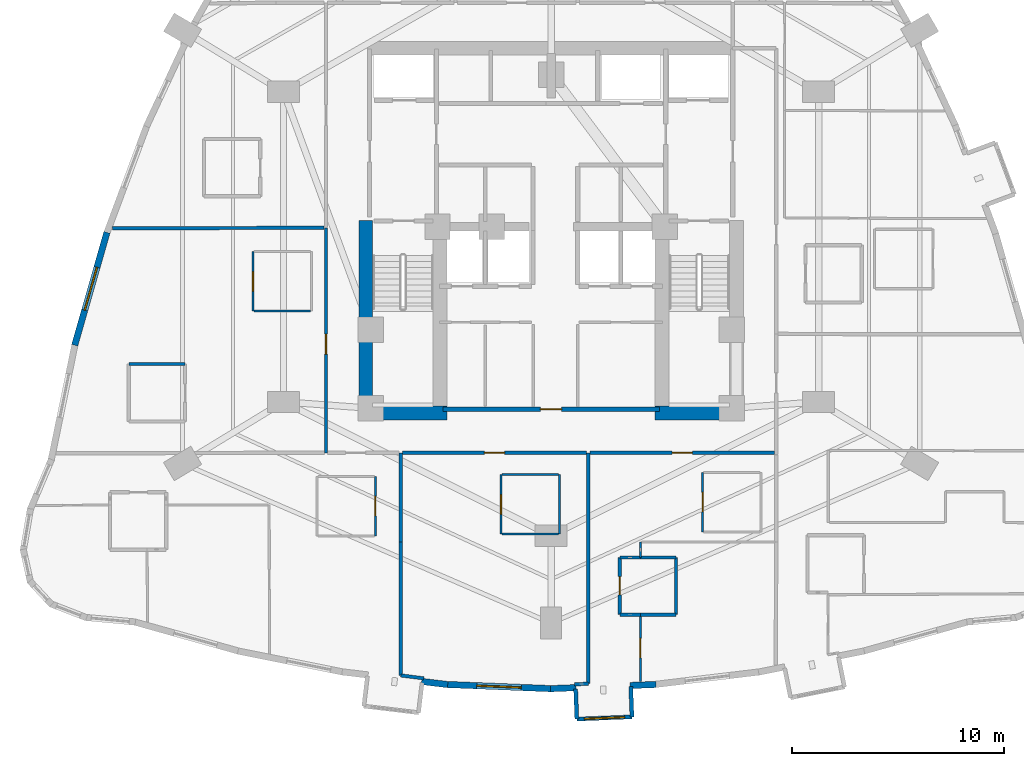
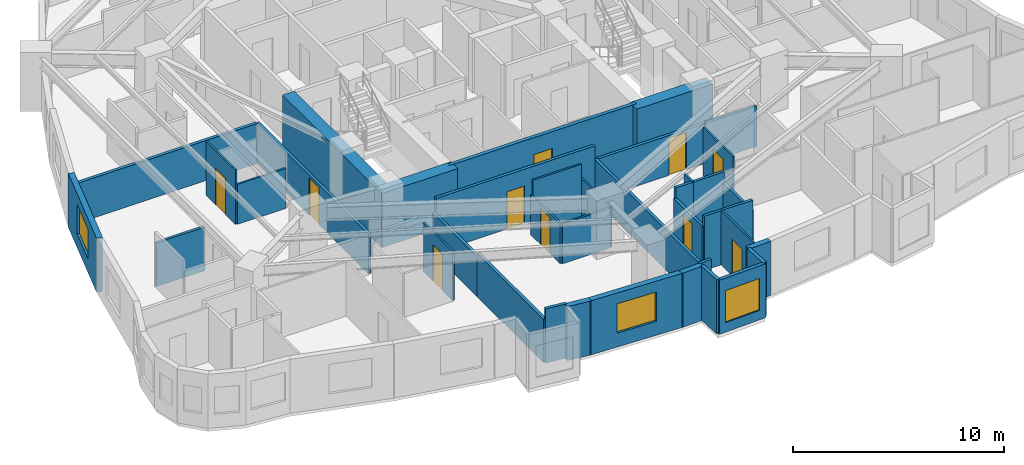
# One storey, part 8 of 15: 38 walls, 10 doors, 3 windows, 13 openings.
"""IFC4 building model written with IfcOpenShell, lengths in metres."""

from ifc_helpers import new_model, si_unit, direction, frame, frame_2d, origin, place, context, subcontext, project, spatial, rectangle, extrude, material, layer, layer_set, type_object, element, fill, save


model = new_model("IFC4")

# Units and contexts
model_context = context("Model", 3, precision=1e-05, world=origin(), true_north=direction((0.0, 1.0)))
body_context = subcontext(model_context, "Body", "Model", "MODEL_VIEW")
ifc_project = project(units=[si_unit("LENGTHUNIT", "METRE"), si_unit("AREAUNIT", "SQUARE_METRE"), si_unit("VOLUMEUNIT", "CUBIC_METRE"), si_unit("PLANEANGLEUNIT", "RADIAN"), si_unit("MASSUNIT", "GRAM", prefix="KILO")], contexts=[model_context])

# Site, building, storey
site_placement = place(None, origin())
site = spatial("IfcSite", under=ifc_project, at=site_placement, CompositionType="ELEMENT")
building_placement = place(site_placement, origin())
building = spatial("IfcBuilding", under=site, at=building_placement, Name="Miruveldt Soraemaru", CompositionType="ELEMENT")
storey_placement = place(building_placement, frame((0.0, 0.0, 39.39990234375)))
storey = spatial("IfcBuildingStorey", under=building, at=storey_placement, Name="L10", CompositionType="ELEMENT", Elevation=39.39990234375)

# Walls
ifc_material_1 = material(Name="White powder-coated aluminium EN AW-6060 T6", Category="aluminium")
ifc_layer_1 = layer(ifc_material_1, 0.18994140625, Name="White powder-coated aluminium EN AW-6060 T6", Category="aluminium")
ifc_layer_set_1 = layer_set([ifc_layer_1], Name="White powder-coated aluminium EN AW-6060 T6")
wall_type_1 = type_object("IfcWallType", Name="WALL-BAY-ALU190", PredefinedType="SOLIDWALL", material=ifc_layer_set_1)
for number, where, z_axis, x_axis, name in (
    (1, (45.155029296875, 22.283935546875, 0.0), (0.0, 0.0, 1.0), (0.039920142234, -0.999202873417, 0.0), "L10 Bay Window Side Cheek 2L"),
    (2, (47.809814453125, 20.964111328125, 0.0), (0.0, 0.0, 1.0), (-0.039920142234, 0.999202873417, 0.0), "L10 Bay Window Side Cheek 2R"),
):
    element("IfcWall", number, at=place(storey_placement, frame(where, z_axis=z_axis, x_axis=x_axis)), inside=storey, type_object=wall_type_1, Name=name, PredefinedType="SOLIDWALL", context=body_context, shape_type="SweptSolid", body=[
        extrude(rectangle(XDim=1.425048828125, YDim=0.18994140625, at=frame_2d((0.71240234375, 0.0))), origin(), (0.0, 0.0, 1.0), 3.125),
    ])

# Wall, opening, window
wall_1_placement = place(storey_placement, frame((45.2119140625, 20.860107421875, 0.0), z_axis=(0.0, 0.0, 1.0), x_axis=(0.999199608139, 0.040001788654, 0.0)))
wall_1 = element("IfcWall", 3, at=wall_1_placement, inside=storey, type_object=wall_type_1, Name="L10 Bay Window Front Frame 2", PredefinedType="SOLIDWALL", context=body_context, shape_type="SweptSolid", body=[
    extrude(rectangle(XDim=2.60009765625, YDim=0.18994140625, at=frame_2d((1.300048828125, 0.0))), origin(), (0.0, 0.0, 1.0), 3.125),
])
opening_1_placement = place(wall_1_placement, frame((0.35009765625, 0.0, 0.550048828125)))
opening_1 = element("IfcOpeningElement", 4, at=opening_1_placement, cuts=wall_1, Name="Opening WN-6", PredefinedType="OPENING", context=body_context, shape_type="SweptSolid", body=[
    extrude(rectangle(XDim=1.89990234375, YDim=1.85009765625, at=frame_2d((0.949951171875, 0.925048828125))), frame((0.0, 0.10498046875, 0.0), z_axis=(0.0, -1.0, 0.0), x_axis=(1.0, 0.0, 0.0)), (0.0, 0.0, 1.0), 0.2099609375),
])
ifc_material_2 = material(Name="Triple low-e insulated glazing", Category="glass")
window_type_1 = type_object("IfcWindowType", Name="WIN-BAYW-1900x1850", PartitioningType="SINGLE_PANEL", PredefinedType="WINDOW", material=ifc_material_2)
window_1_placement = place(opening_1_placement, origin())
window_1 = element("IfcWindow", 5, at=window_1_placement, inside=storey, type_object=window_type_1, Name="L10 Projecting Bay Window 2", OverallHeight=1.85009765625, OverallWidth=1.89990234375, PartitioningType="SINGLE_PANEL", PredefinedType="WINDOW", context=body_context, shape_type="SweptSolid", body=[
    extrude(rectangle(XDim=1.89990234375, YDim=1.85009765625, at=frame_2d((0.949951171875, 0.925048828125))), frame((0.0, 0.030029296875, 0.0), z_axis=(0.0, -1.0, 0.0), x_axis=(1.0, 0.0, 0.0)), (0.0, 0.0, 1.0), 0.06005859375),
])
fill(opening_1, window_1)

# Walls
ifc_material_3 = material(Name="Concrete C80/95 (80 MPa)", Category="concrete")
ifc_layer_2 = layer(ifc_material_3, 0.64990234375, Name="Concrete C80/95 (80 MPa)", Category="concrete")
ifc_layer_set_2 = layer_set([ifc_layer_2], Name="Concrete C80/95 (80 MPa)")
wall_type_2 = type_object("IfcWallType", Name="WALL-CW-650", PredefinedType="SHEAR", material=ifc_layer_set_2)
for number, where, z_axis, x_axis, name in (
    (6, (34.949951171875, 35.27490234375, 0.0), (0.0, 0.0, 1.0), (1.0, 0.0, 0.0), "L10 Central Core Shear Wall S1"),
    (7, (48.89990234375, 35.27490234375, 0.0), (0.0, 0.0, 1.0), (1.0, 0.0, 0.0), "L10 Central Core Shear Wall S2"),
):
    element("IfcWall", number, at=place(storey_placement, frame(where, z_axis=z_axis, x_axis=x_axis)), inside=storey, type_object=wall_type_2, Name=name, PredefinedType="SHEAR", context=body_context, shape_type="SweptSolid", body=[
        extrude(rectangle(XDim=4.150146484375, YDim=0.64990234375, at=frame_2d((2.0751953125, 0.0))), origin(), (0.0, 0.0, 1.0), 3.125),
    ])
wall_2_placement = place(storey_placement, frame((35.27490234375, 34.949951171875, 0.0), z_axis=(0.0, 0.0, 1.0), x_axis=(0.0, 1.0, 0.0)))
element("IfcWall", 8, at=wall_2_placement, inside=storey, type_object=wall_type_2, Name="L10 Central Core Shear Wall W1", PredefinedType="SHEAR", context=body_context, shape_type="SweptSolid", body=[
    extrude(rectangle(XDim=9.400146484375, YDim=0.64990234375, at=frame_2d((4.7001953125, 0.0))), origin(), (0.0, 0.0, 1.0), 3.125),
])

# Wall, opening, window
ifc_material_4 = material(Name="Precast concrete C45/55 (45 MPa)", Category="concrete")
ifc_layer_3 = layer(ifc_material_4, 0.300048828125, Name="Precast concrete C45/55 (45 MPa)", Category="concrete")
ifc_layer_set_3 = layer_set([ifc_layer_3], Name="Precast concrete C45/55 (45 MPa)")
wall_type_3 = type_object("IfcWallType", Name="WALL-EXT-PC300", PredefinedType="SOLIDWALL", material=ifc_layer_set_3)
wall_3_placement = place(storey_placement, frame((23.08349609375, 43.782470703125, 0.0), z_axis=(0.0, 0.0, 1.0), x_axis=(-0.274971983341, -0.96145223926, 0.0)))
wall_3 = element("IfcWall", 9, at=wall_3_placement, inside=storey, type_object=wall_type_3, Name="L10 Precast Concrete Facade Wall 13", PredefinedType="SOLIDWALL", context=body_context, shape_type="SweptSolid", body=[
    extrude(rectangle(XDim=5.527099609375, YDim=0.300048828125, at=frame_2d((2.763671875, 0.0))), origin(), (0.0, 0.0, 1.0), 3.125),
])
opening_2_placement = place(wall_3_placement, frame((1.714111328125, 0.0, 0.800048828125)))
opening_2 = element("IfcOpeningElement", 10, at=opening_2_placement, cuts=wall_3, Name="Opening WN-1", PredefinedType="OPENING", context=body_context, shape_type="SweptSolid", body=[
    extrude(rectangle(XDim=2.10009765625, YDim=1.699951171875, at=frame_2d((1.050048828125, 0.85009765625))), frame((0.0, 0.16015625, 0.0), z_axis=(0.0, -1.0, 0.0), x_axis=(1.0, 0.0, 0.0)), (0.0, 0.0, 1.0), 0.320068359375),
])
window_type_2 = type_object("IfcWindowType", Name="WIN-PUNCH-2100x1700", PartitioningType="SINGLE_PANEL", PredefinedType="WINDOW", material=ifc_material_2)
window_2_placement = place(opening_2_placement, origin())
window_2 = element("IfcWindow", 11, at=window_2_placement, inside=storey, type_object=window_type_2, Name="L10 Punched Triple-Glazed Window 13.1", OverallHeight=1.699951171875, OverallWidth=2.10009765625, PartitioningType="SINGLE_PANEL", PredefinedType="WINDOW", context=body_context, shape_type="SweptSolid", body=[
    extrude(rectangle(XDim=2.10009765625, YDim=1.699951171875, at=frame_2d((1.050048828125, 0.85009765625))), frame((0.0, 0.030029296875, 0.0), z_axis=(0.0, -1.0, 0.0), x_axis=(1.0, 0.0, 0.0)), (0.0, 0.0, 1.0), 0.06005859375),
])
fill(opening_2, window_2)

# Wall
wall_4_placement = place(storey_placement, frame((37.905517578125, 22.6318359375, 0.0), z_axis=(0.0, 0.0, 1.0), x_axis=(0.992886194387, -0.119067228889, 0.0)))
element("IfcWall", 12, at=wall_4_placement, inside=storey, type_object=wall_type_3, Name="L10 Precast Pier Wall 23B", PredefinedType="SOLIDWALL", context=body_context, shape_type="SweptSolid", body=[
    extrude(rectangle(XDim=1.234375, YDim=0.300048828125, at=frame_2d((0.6171875, 0.0))), origin(), (0.0, 0.0, 1.0), 3.125),
])

# Wall, opening, window
wall_5_placement = place(storey_placement, frame((39.061279296875, 22.490478515625, 0.0), z_axis=(0.0, 0.0, 1.0), x_axis=(0.999200723651, -0.039973914676, 0.0)))
wall_5 = element("IfcWall", 13, at=wall_5_placement, inside=storey, type_object=wall_type_3, Name="L10 Precast Concrete Facade Wall 24", PredefinedType="SOLIDWALL", context=body_context, shape_type="SweptSolid", body=[
    extrude(rectangle(XDim=4.9775390625, YDim=0.300048828125, at=frame_2d((2.48876953125, 0.0))), origin(), (0.0, 0.0, 1.0), 3.125),
])
opening_3_placement = place(wall_5_placement, frame((1.43896484375, 0.0, 0.800048828125)))
opening_3 = element("IfcOpeningElement", 14, at=opening_3_placement, cuts=wall_5, Name="Opening WN-1", PredefinedType="OPENING", context=body_context, shape_type="SweptSolid", body=[
    extrude(rectangle(XDim=2.10009765625, YDim=1.699951171875, at=frame_2d((1.050048828125, 0.85009765625))), frame((0.0, 0.16015625, 0.0), z_axis=(0.0, -1.0, 0.0), x_axis=(1.0, 0.0, 0.0)), (0.0, 0.0, 1.0), 0.320068359375),
])
window_3_placement = place(opening_3_placement, origin())
window_3 = element("IfcWindow", 15, at=window_3_placement, inside=storey, type_object=window_type_2, Name="L10 Punched Triple-Glazed Window 24.1", OverallHeight=1.699951171875, OverallWidth=2.10009765625, PartitioningType="SINGLE_PANEL", PredefinedType="WINDOW", context=body_context, shape_type="SweptSolid", body=[
    extrude(rectangle(XDim=2.10009765625, YDim=1.699951171875, at=frame_2d((1.050048828125, 0.85009765625))), frame((0.0, 0.030029296875, 0.0), z_axis=(0.0, -1.0, 0.0), x_axis=(1.0, 0.0, 0.0)), (0.0, 0.0, 1.0), 0.06005859375),
])
fill(opening_3, window_3)

# Walls
wall_6_placement = place(storey_placement, frame((43.965087890625, 22.29150390625, 0.0), z_axis=(0.0, 0.0, 1.0), x_axis=(0.999205113347, 0.0398640372, 0.0)))
element("IfcWall", 16, at=wall_6_placement, inside=storey, type_object=wall_type_3, Name="L10 Precast Pier Wall 25A", PredefinedType="SOLIDWALL", context=body_context, shape_type="SweptSolid", body=[
    extrude(rectangle(XDim=1.21875, YDim=0.300048828125, at=frame_2d((0.609375, 0.0))), origin(), (0.0, 0.0, 1.0), 3.125),
])
wall_7_placement = place(storey_placement, frame((47.720703125, 22.441650390625, 0.0), z_axis=(0.0, 0.0, 1.0), x_axis=(0.999197435549, 0.040056020667, 0.0)))
element("IfcWall", 17, at=wall_7_placement, inside=storey, type_object=wall_type_3, Name="L10 Precast Pier Wall 25B", PredefinedType="SOLIDWALL", context=body_context, shape_type="SweptSolid", body=[
    extrude(rectangle(XDim=1.218994140625, YDim=0.300048828125, at=frame_2d((0.609375, 0.0))), origin(), (0.0, 0.0, 1.0), 3.125),
])

# Wall, opening, door
ifc_material_5 = material(Name="Gypsum plasterboard lining", Category="gypsum")
ifc_layer_4 = layer(ifc_material_5, 0.10009765625, Name="Gypsum plasterboard lining", Category="gypsum")
ifc_layer_set_4 = layer_set([ifc_layer_4], Name="Gypsum plasterboard lining")
wall_type_4 = type_object("IfcWallType", Name="WALL-INT-P100", PredefinedType="PARTITIONING", material=ifc_layer_set_4)
wall_8_placement = place(storey_placement, frame((48.202880859375, 22.6259765625, 0.0), z_axis=(0.0, 0.0, 1.0), x_axis=(0.001007907691, 0.999999492061, 0.0)))
wall_8 = element("IfcWall", 18, at=wall_8_placement, inside=storey, type_object=wall_type_4, Name="L10 Partition Wall 119", PredefinedType="PARTITIONING", context=body_context, shape_type="SweptSolid", body=[
    extrude(rectangle(XDim=3.14892578125, YDim=0.10009765625, at=frame_2d((1.574462890625, 0.0))), origin(), (0.0, 0.0, 1.0), 3.125),
])
opening_4_placement = place(wall_8_placement, frame((1.114990234375, 0.0, 0.0)))
opening_4 = element("IfcOpeningElement", 19, at=opening_4_placement, cuts=wall_8, Name="Opening D3A", PredefinedType="OPENING", context=body_context, shape_type="SweptSolid", body=[
    extrude(rectangle(XDim=0.919921875, YDim=2.10009765625, at=frame_2d((0.4599609375, 1.050048828125))), frame((0.0, 0.06005859375, 0.0), z_axis=(0.0, -1.0, 0.0), x_axis=(1.0, 0.0, 0.0)), (0.0, 0.0, 1.0), 0.1201171875),
])
ifc_material_6 = material(Name="Anodised aluminium EN AW-6063 T6", Category="aluminium")
door_type_1 = type_object("IfcDoorType", Name="DOOR-INT-920", OperationType="NOTDEFINED", PredefinedType="DOOR", material=ifc_material_6)
door_1_placement = place(opening_4_placement, origin())
door_1 = element("IfcDoor", 20, at=door_1_placement, inside=storey, type_object=door_type_1, Name="L10 Unit 1010 BD1 Door", OperationType="SINGLE_SWING_LEFT", OverallHeight=2.10009765625, OverallWidth=0.919921875, PredefinedType="DOOR", context=body_context, shape_type="SweptSolid", body=[
    extrude(rectangle(XDim=0.919921875, YDim=2.10009765625, at=frame_2d((0.4599609375, 1.050048828125))), frame((0.0, 0.02490234375, 0.0), z_axis=(0.0, -1.0, 0.0), x_axis=(1.0, 0.0, 0.0)), (0.0, 0.0, 1.0), 0.050048828125),
])
fill(opening_4, door_1)

wall_9_placement = place(storey_placement, frame((29.962890625, 42.8798828125, 0.0), z_axis=(0.0, 0.0, 1.0), x_axis=(0.0, -1.0, 0.0)))
wall_9 = element("IfcWall", 21, at=wall_9_placement, inside=storey, type_object=wall_type_4, Name="L10 Partition Wall 58", PredefinedType="PARTITIONING", context=body_context, shape_type="SweptSolid", body=[
    extrude(rectangle(XDim=2.7998046875, YDim=0.10009765625, at=frame_2d((1.39990234375, 0.0))), origin(), (0.0, 0.0, 1.0), 3.125),
])
opening_5_placement = place(wall_9_placement, frame((0.93994140625, 0.0, 0.0)))
opening_5 = element("IfcOpeningElement", 22, at=opening_5_placement, cuts=wall_9, Name="Opening D3A", PredefinedType="OPENING", context=body_context, shape_type="SweptSolid", body=[
    extrude(rectangle(XDim=0.919921875, YDim=2.10009765625, at=frame_2d((0.4599609375, 1.050048828125))), frame((0.0, 0.06005859375, 0.0), z_axis=(0.0, -1.0, 0.0), x_axis=(1.0, 0.0, 0.0)), (0.0, 0.0, 1.0), 0.1201171875),
])
door_2_placement = place(opening_5_placement, origin())
door_2 = element("IfcDoor", 23, at=door_2_placement, inside=storey, type_object=door_type_1, Name="L10 Unit CL04 KIT Door", OperationType="SINGLE_SWING_LEFT", OverallHeight=2.10009765625, OverallWidth=0.919921875, PredefinedType="DOOR", context=body_context, shape_type="SweptSolid", body=[
    extrude(rectangle(XDim=0.919921875, YDim=2.10009765625, at=frame_2d((0.4599609375, 1.050048828125))), frame((0.0, 0.02490234375, 0.0), z_axis=(0.0, -1.0, 0.0), x_axis=(1.0, 0.0, 0.0)), (0.0, 0.0, 1.0), 0.050048828125),
])
fill(opening_5, door_2)

wall_10_placement = place(storey_placement, frame((35.721923828125, 29.489990234375, 0.0), z_axis=(0.0, 0.0, 1.0), x_axis=(0.0, 1.0, 0.0)))
wall_10 = element("IfcWall", 24, at=wall_10_placement, inside=storey, type_object=wall_type_4, Name="L10 Partition Wall 93", PredefinedType="PARTITIONING", context=body_context, shape_type="SweptSolid", body=[
    extrude(rectangle(XDim=2.800048828125, YDim=0.10009765625, at=frame_2d((1.39990234375, 0.0))), origin(), (0.0, 0.0, 1.0), 2.81298828125),
])
opening_6_placement = place(wall_10_placement, frame((0.93994140625, 0.0, 0.0)))
opening_6 = element("IfcOpeningElement", 25, at=opening_6_placement, cuts=wall_10, Name="Opening D3A", PredefinedType="OPENING", context=body_context, shape_type="SweptSolid", body=[
    extrude(rectangle(XDim=0.919921875, YDim=2.10009765625, at=frame_2d((0.4599609375, 1.050048828125))), frame((0.0, 0.06005859375, 0.0), z_axis=(0.0, -1.0, 0.0), x_axis=(1.0, 0.0, 0.0)), (0.0, 0.0, 1.0), 0.1201171875),
])
door_3_placement = place(opening_6_placement, origin())
door_3 = element("IfcDoor", 26, at=door_3_placement, inside=storey, type_object=door_type_1, Name="L10 Unit 1008 KIT Door", OperationType="SINGLE_SWING_LEFT", OverallHeight=2.10009765625, OverallWidth=0.919921875, PredefinedType="DOOR", context=body_context, shape_type="SweptSolid", body=[
    extrude(rectangle(XDim=0.919921875, YDim=2.10009765625, at=frame_2d((0.4599609375, 1.050048828125))), frame((0.0, 0.02490234375, 0.0), z_axis=(0.0, -1.0, 0.0), x_axis=(1.0, 0.0, 0.0)), (0.0, 0.0, 1.0), 0.050048828125),
])
fill(opening_6, door_3)

wall_11_placement = place(storey_placement, frame((41.64208984375, 32.375, 0.0), z_axis=(0.0, 0.0, 1.0), x_axis=(0.0, -1.0, 0.0)))
wall_11 = element("IfcWall", 27, at=wall_11_placement, inside=storey, type_object=wall_type_4, Name="L10 Partition Wall 109", PredefinedType="PARTITIONING", context=body_context, shape_type="SweptSolid", body=[
    extrude(rectangle(XDim=2.800048828125, YDim=0.10009765625, at=frame_2d((1.39990234375, 0.0))), origin(), (0.0, 0.0, 1.0), 2.31298828125),
])
opening_7_placement = place(wall_11_placement, frame((0.93994140625, 0.0, 0.0)))
opening_7 = element("IfcOpeningElement", 28, at=opening_7_placement, cuts=wall_11, Name="Opening D3A", PredefinedType="OPENING", context=body_context, shape_type="SweptSolid", body=[
    extrude(rectangle(XDim=0.919921875, YDim=2.10009765625, at=frame_2d((0.4599609375, 1.050048828125))), frame((0.0, 0.06005859375, 0.0), z_axis=(0.0, -1.0, 0.0), x_axis=(1.0, 0.0, 0.0)), (0.0, 0.0, 1.0), 0.1201171875),
])
door_4_placement = place(opening_7_placement, origin())
door_4 = element("IfcDoor", 29, at=door_4_placement, inside=storey, type_object=door_type_1, Name="L10 Unit 1009 KIT Door", OperationType="SINGLE_SWING_LEFT", OverallHeight=2.10009765625, OverallWidth=0.919921875, PredefinedType="DOOR", context=body_context, shape_type="SweptSolid", body=[
    extrude(rectangle(XDim=0.919921875, YDim=2.10009765625, at=frame_2d((0.4599609375, 1.050048828125))), frame((0.0, 0.02490234375, 0.0), z_axis=(0.0, -1.0, 0.0), x_axis=(1.0, 0.0, 0.0)), (0.0, 0.0, 1.0), 0.050048828125),
])
fill(opening_7, door_4)

wall_12_placement = place(storey_placement, frame((51.135986328125, 32.47509765625, 0.0), z_axis=(0.0, 0.0, 1.0), x_axis=(0.0, -1.0, 0.0)))
wall_12 = element("IfcWall", 30, at=wall_12_placement, inside=storey, type_object=wall_type_4, Name="L10 Partition Wall 117", PredefinedType="PARTITIONING", context=body_context, shape_type="SweptSolid", body=[
    extrude(rectangle(XDim=2.800048828125, YDim=0.10009765625, at=frame_2d((1.39990234375, 0.0))), origin(), (0.0, 0.0, 1.0), 2.81298828125),
])
opening_8_placement = place(wall_12_placement, frame((0.93994140625, 0.0, 0.0)))
opening_8 = element("IfcOpeningElement", 31, at=opening_8_placement, cuts=wall_12, Name="Opening D3A", PredefinedType="OPENING", context=body_context, shape_type="SweptSolid", body=[
    extrude(rectangle(XDim=0.919921875, YDim=2.10009765625, at=frame_2d((0.4599609375, 1.050048828125))), frame((0.0, 0.06005859375, 0.0), z_axis=(0.0, -1.0, 0.0), x_axis=(1.0, 0.0, 0.0)), (0.0, 0.0, 1.0), 0.1201171875),
])
door_5_placement = place(opening_8_placement, origin())
door_5 = element("IfcDoor", 32, at=door_5_placement, inside=storey, type_object=door_type_1, Name="L10 Unit 1010 KIT Door", OperationType="SINGLE_SWING_RIGHT", OverallHeight=2.10009765625, OverallWidth=0.919921875, PredefinedType="DOOR", context=body_context, shape_type="SweptSolid", body=[
    extrude(rectangle(XDim=0.919921875, YDim=2.10009765625, at=frame_2d((0.4599609375, 1.050048828125))), frame((0.0, 0.02490234375, 0.0), z_axis=(0.0, -1.0, 0.0), x_axis=(1.0, 0.0, 0.0)), (0.0, 0.0, 1.0), 0.050048828125),
])
fill(opening_8, door_5)

# Walls
wall_13_placement = place(storey_placement, frame((44.39208984375, 29.574951171875, 0.0), z_axis=(0.0, 0.0, 1.0), x_axis=(0.0, 1.0, 0.0)))
element("IfcWall", 33, at=wall_13_placement, inside=storey, type_object=wall_type_4, Name="L10 Partition Wall 107", PredefinedType="PARTITIONING", context=body_context, shape_type="SweptSolid", body=[
    extrude(rectangle(XDim=2.800048828125, YDim=0.10009765625, at=frame_2d((1.39990234375, 0.0))), origin(), (0.0, 0.0, 1.0), 2.31298828125),
])
wall_14_placement = place(storey_placement, frame((44.342041015625, 32.375, 0.0), z_axis=(0.0, 0.0, 1.0), x_axis=(-1.0, 0.0, 0.0)))
element("IfcWall", 34, at=wall_14_placement, inside=storey, type_object=wall_type_4, Name="L10 Partition Wall 108", PredefinedType="PARTITIONING", context=body_context, shape_type="SweptSolid", body=[
    extrude(rectangle(XDim=2.650146484375, YDim=0.10009765625, at=frame_2d((1.3251953125, 0.0))), origin(), (0.0, 0.0, 1.0), 3.125),
])
for number, where, z_axis, x_axis, name in (
    (35, (41.69189453125, 29.574951171875, 0.0), (0.0, 0.0, 1.0), (1.0, 0.0, 0.0), "L10 Partition Wall 110"),
    (36, (30.012939453125, 40.080078125, 0.0), (0.0, 0.0, 1.0), (1.0, 0.0, 0.0), "L10 Partition Wall 59"),
):
    element("IfcWall", number, at=place(storey_placement, frame(where, z_axis=z_axis, x_axis=x_axis)), inside=storey, type_object=wall_type_4, Name=name, PredefinedType="PARTITIONING", context=body_context, shape_type="SweptSolid", body=[
        extrude(rectangle(XDim=2.650146484375, YDim=0.10009765625, at=frame_2d((1.3251953125, 0.0))), origin(), (0.0, 0.0, 1.0), 2.31298828125),
    ])
wall_15_placement = place(storey_placement, frame((48.2060546875, 28.47509765625, 0.0), z_axis=(0.0, 0.0, 1.0), x_axis=(0.0, 1.0, 0.0)))
element("IfcWall", 37, at=wall_15_placement, inside=storey, type_object=wall_type_4, Name="L10 Partition Wall 120", PredefinedType="PARTITIONING", context=body_context, shape_type="SweptSolid", body=[
    extrude(rectangle(XDim=0.724853515625, YDim=0.10009765625, at=frame_2d((0.3623046875, 0.0))), origin(), (0.0, 0.0, 1.0), 3.125),
])

# Wall, opening, door
ifc_layer_5 = layer(ifc_material_5, 0.14990234375, Name="Gypsum plasterboard lining", Category="gypsum")
ifc_layer_set_5 = layer_set([ifc_layer_5], Name="Gypsum plasterboard lining")
wall_type_5 = type_object("IfcWallType", Name="WALL-INT-PLUMB", PredefinedType="PLUMBINGWALL", material=ifc_layer_set_5)
wall_16_placement = place(storey_placement, frame((47.236083984375, 28.47509765625, 0.0), z_axis=(0.0, 0.0, 1.0), x_axis=(0.0, -1.0, 0.0)))
wall_16 = element("IfcWall", 38, at=wall_16_placement, inside=storey, type_object=wall_type_5, Name="L10 Partition Wall 113", PredefinedType="PLUMBINGWALL", context=body_context, shape_type="SweptSolid", body=[
    extrude(rectangle(XDim=2.7001953125, YDim=0.14990234375, at=frame_2d((1.35009765625, 0.0))), origin(), (0.0, 0.0, 1.0), 2.51318359375),
])
opening_9_placement = place(wall_16_placement, frame((0.909912109375, 0.0, 0.0)))
opening_9 = element("IfcOpeningElement", 39, at=opening_9_placement, cuts=wall_16, Name="Opening FD3", PredefinedType="OPENING", context=body_context, shape_type="SweptSolid", body=[
    extrude(rectangle(XDim=0.85009765625, YDim=2.10009765625, at=frame_2d((0.425048828125, 1.050048828125))), frame((0.0, 0.0849609375, 0.0), z_axis=(0.0, -1.0, 0.0), x_axis=(1.0, 0.0, 0.0)), (0.0, 0.0, 1.0), 0.169921875),
])
door_type_2 = type_object("IfcDoorType", Name="DOOR-FD3-850", OperationType="NOTDEFINED", PredefinedType="DOOR", material=ifc_material_6)
door_6_placement = place(opening_9_placement, origin())
door_6 = element("IfcDoor", 40, at=door_6_placement, inside=storey, type_object=door_type_2, Name="L10 Unit 1010 BTH Door", OperationType="SINGLE_SWING_LEFT", OverallHeight=2.10009765625, OverallWidth=0.85009765625, PredefinedType="DOOR", context=body_context, shape_type="SweptSolid", body=[
    extrude(rectangle(XDim=0.85009765625, YDim=2.10009765625, at=frame_2d((0.425048828125, 1.050048828125))), frame((0.0, 0.02490234375, 0.0), z_axis=(0.0, -1.0, 0.0), x_axis=(1.0, 0.0, 0.0)), (0.0, 0.0, 1.0), 0.050048828125),
])
fill(opening_9, door_6)

# Walls
wall_17_placement = place(storey_placement, frame((49.885986328125, 25.77490234375, 0.0), z_axis=(0.0, 0.0, 1.0), x_axis=(0.0, 1.0, 0.0)))
element("IfcWall", 41, at=wall_17_placement, inside=storey, type_object=wall_type_5, Name="L10 Partition Wall 123", PredefinedType="PLUMBINGWALL", context=body_context, shape_type="SweptSolid", body=[
    extrude(rectangle(XDim=2.7001953125, YDim=0.14990234375, at=frame_2d((1.35009765625, 0.0))), origin(), (0.0, 0.0, 1.0), 2.51318359375),
])
wall_18_placement = place(storey_placement, frame((26.762939453125, 37.580078125, 0.0), z_axis=(0.0, 0.0, 1.0), x_axis=(-1.0, 0.0, 0.0)))
element("IfcWall", 42, at=wall_18_placement, inside=storey, type_object=wall_type_5, Name="L10 Partition Wall 53", PredefinedType="PLUMBINGWALL", context=body_context, shape_type="SweptSolid", body=[
    extrude(rectangle(XDim=2.64990234375, YDim=0.14990234375, at=frame_2d((1.324951171875, 0.0))), origin(), (0.0, 0.0, 1.0), 2.51318359375),
])
for number, where, z_axis, x_axis, name in (
    (43, (48.2060546875, 25.77490234375, 0.0), (0.0, 0.0, 1.0), (1.0, 0.0, 0.0), "L10 Partition Wall 122"),
    (44, (49.885986328125, 28.47509765625, 0.0), (0.0, 0.0, 1.0), (-1.0, 0.0, 0.0), "L10 Partition Wall 124"),
):
    element("IfcWall", number, at=place(storey_placement, frame(where, z_axis=z_axis, x_axis=x_axis)), inside=storey, type_object=wall_type_5, Name=name, PredefinedType="PLUMBINGWALL", context=body_context, shape_type="SweptSolid", body=[
        extrude(rectangle(XDim=1.679931640625, YDim=0.14990234375, at=frame_2d((0.83984375, 0.0))), origin(), (0.0, 0.0, 1.0), 3.125),
    ])
for number, where, z_axis, x_axis, name in (
    (45, (48.2060546875, 28.47509765625, 0.0), (0.0, 0.0, 1.0), (-1.0, 0.0, 0.0), "L10 Partition Wall 112"),
    (46, (47.236083984375, 25.77490234375, 0.0), (0.0, 0.0, 1.0), (1.0, 0.0, 0.0), "L10 Partition Wall 114"),
):
    element("IfcWall", number, at=place(storey_placement, frame(where, z_axis=z_axis, x_axis=x_axis)), inside=storey, type_object=wall_type_5, Name=name, PredefinedType="PLUMBINGWALL", context=body_context, shape_type="SweptSolid", body=[
        extrude(rectangle(XDim=0.969970703125, YDim=0.14990234375, at=frame_2d((0.48486328125, 0.0))), origin(), (0.0, 0.0, 1.0), 3.125),
    ])

# Wall, opening, door
ifc_material_7 = material(Name="Concrete C40/50 (40 MPa)", Category="concrete")
ifc_layer_6 = layer(ifc_material_7, 0.159912109375, Name="Concrete C40/50 (40 MPa)", Category="concrete")
ifc_layer_set_6 = layer_set([ifc_layer_6], Name="Concrete C40/50 (40 MPa)")
wall_type_6 = type_object("IfcWallType", Name="WALL-INT-RC160", PredefinedType="SOLIDWALL", material=ifc_layer_set_6)
wall_19_placement = place(storey_placement, frame((33.39990234375, 44.0, 0.0), z_axis=(0.0, 0.0, 1.0), x_axis=(0.0, -1.0, 0.0)))
wall_19 = element("IfcWall", 47, at=wall_19_placement, inside=storey, type_object=wall_type_6, Name="L10 Partition Wall 4", PredefinedType="SOLIDWALL", context=body_context, shape_type="SweptSolid", body=[
    extrude(rectangle(XDim=10.60009765625, YDim=0.159912109375, at=frame_2d((5.300048828125, 0.0))), origin(), (0.0, 0.0, 1.0), 2.31298828125),
])
opening_10_placement = place(wall_19_placement, frame((5.0048828125, 0.0, 0.0)))
opening_10 = element("IfcOpeningElement", 48, at=opening_10_placement, cuts=wall_19, Name="Opening FD2", PredefinedType="OPENING", context=body_context, shape_type="SweptSolid", body=[
    extrude(rectangle(XDim=0.949951171875, YDim=2.14990234375, at=frame_2d((0.47509765625, 1.074951171875))), frame((0.0, 0.08984375, 0.0), z_axis=(0.0, -1.0, 0.0), x_axis=(1.0, 0.0, 0.0)), (0.0, 0.0, 1.0), 0.179931640625),
])
door_type_3 = type_object("IfcDoorType", Name="DOOR-FD2-950", OperationType="NOTDEFINED", PredefinedType="DOOR", material=ifc_material_6)
door_7_placement = place(opening_10_placement, origin())
door_7 = element("IfcDoor", 49, at=door_7_placement, inside=storey, type_object=door_type_3, Name="L10 Unit CL04 Entrance Fire Door", OperationType="SINGLE_SWING_LEFT", OverallHeight=2.14990234375, OverallWidth=0.949951171875, PredefinedType="DOOR", context=body_context, shape_type="SweptSolid", body=[
    extrude(rectangle(XDim=0.949951171875, YDim=2.14990234375, at=frame_2d((0.47509765625, 1.074951171875))), frame((0.0, 0.02490234375, 0.0), z_axis=(0.0, -1.0, 0.0), x_axis=(1.0, 0.0, 0.0)), (0.0, 0.0, 1.0), 0.050048828125),
])
fill(opening_10, door_7)

wall_20_placement = place(storey_placement, frame((45.8359375, 33.39990234375, 0.0), z_axis=(0.0, 0.0, 1.0), x_axis=(1.0, 0.0, 0.0)))
wall_20 = element("IfcWall", 50, at=wall_20_placement, inside=storey, type_object=wall_type_6, Name="L10 Partition Wall 12", PredefinedType="SOLIDWALL", context=body_context, shape_type="SweptSolid", body=[
    extrude(rectangle(XDim=8.68408203125, YDim=0.159912109375, at=frame_2d((4.342041015625, 0.0))), origin(), (0.0, 0.0, 1.0), 2.31298828125),
])
opening_11_placement = place(wall_20_placement, frame((3.866943359375, 0.0, 0.0)))
opening_11 = element("IfcOpeningElement", 51, at=opening_11_placement, cuts=wall_20, Name="Opening FD2", PredefinedType="OPENING", context=body_context, shape_type="SweptSolid", body=[
    extrude(rectangle(XDim=0.949951171875, YDim=2.14990234375, at=frame_2d((0.47509765625, 1.074951171875))), frame((0.0, 0.08984375, 0.0), z_axis=(0.0, -1.0, 0.0), x_axis=(1.0, 0.0, 0.0)), (0.0, 0.0, 1.0), 0.179931640625),
])
door_8_placement = place(opening_11_placement, origin())
door_8 = element("IfcDoor", 52, at=door_8_placement, inside=storey, type_object=door_type_3, Name="L10 Unit 1010 Entrance Fire Door", OperationType="SINGLE_SWING_RIGHT", OverallHeight=2.14990234375, OverallWidth=0.949951171875, PredefinedType="DOOR", context=body_context, shape_type="SweptSolid", body=[
    extrude(rectangle(XDim=0.949951171875, YDim=2.14990234375, at=frame_2d((0.47509765625, 1.074951171875))), frame((0.0, 0.02490234375, 0.0), z_axis=(0.0, -1.0, 0.0), x_axis=(1.0, 0.0, 0.0)), (0.0, 0.0, 1.0), 0.050048828125),
])
fill(opening_11, door_8)

wall_21_placement = place(storey_placement, frame((36.99609375, 33.39990234375, 0.0), z_axis=(0.0, 0.0, 1.0), x_axis=(1.0, 0.0, 0.0)))
wall_21 = element("IfcWall", 53, at=wall_21_placement, inside=storey, type_object=wall_type_6, Name="L10 Partition Wall 11", PredefinedType="SOLIDWALL", context=body_context, shape_type="SweptSolid", body=[
    extrude(rectangle(XDim=8.676025390625, YDim=0.159912109375, at=frame_2d((4.337890625, 0.0))), origin(), (0.0, 0.0, 1.0), 3.125),
])
opening_12_placement = place(wall_21_placement, frame((3.863037109375, 0.0, 0.0)))
opening_12 = element("IfcOpeningElement", 54, at=opening_12_placement, cuts=wall_21, Name="Opening FD2", PredefinedType="OPENING", context=body_context, shape_type="SweptSolid", body=[
    extrude(rectangle(XDim=0.949951171875, YDim=2.14990234375, at=frame_2d((0.47509765625, 1.074951171875))), frame((0.0, 0.08984375, 0.0), z_axis=(0.0, -1.0, 0.0), x_axis=(1.0, 0.0, 0.0)), (0.0, 0.0, 1.0), 0.179931640625),
])
door_9_placement = place(opening_12_placement, origin())
door_9 = element("IfcDoor", 55, at=door_9_placement, inside=storey, type_object=door_type_3, Name="L10 Unit 1009 Entrance Fire Door", OperationType="SINGLE_SWING_RIGHT", OverallHeight=2.14990234375, OverallWidth=0.949951171875, PredefinedType="DOOR", context=body_context, shape_type="SweptSolid", body=[
    extrude(rectangle(XDim=0.949951171875, YDim=2.14990234375, at=frame_2d((0.47509765625, 1.074951171875))), frame((0.0, 0.02490234375, 0.0), z_axis=(0.0, -1.0, 0.0), x_axis=(1.0, 0.0, 0.0)), (0.0, 0.0, 1.0), 0.050048828125),
])
fill(opening_12, door_9)

# Walls
wall_22_placement = place(storey_placement, frame((45.7529296875, 22.528076171875, 0.0), z_axis=(0.0, 0.0, 1.0), x_axis=(0.000291931451, 0.999999957388, 0.0)))
element("IfcWall", 56, at=wall_22_placement, inside=storey, type_object=wall_type_6, Name="L10 Partition Wall 111", PredefinedType="SOLIDWALL", context=body_context, shape_type="SweptSolid", body=[
    extrude(rectangle(XDim=10.871826171875, YDim=0.159912109375, at=frame_2d((5.43603515625, 0.0))), origin(), (0.0, 0.0, 1.0), 2.31298828125),
])
wall_23_placement = place(storey_placement, frame((33.31494140625, 44.0, 0.0), z_axis=(0.0, 0.0, 1.0), x_axis=(-0.999996044386, -0.002812687597, 0.0)))
element("IfcWall", 57, at=wall_23_placement, inside=storey, type_object=wall_type_6, Name="L10 Partition Wall 60", PredefinedType="SOLIDWALL", context=body_context, shape_type="SweptSolid", body=[
    extrude(rectangle(XDim=9.98193359375, YDim=0.159912109375, at=frame_2d((4.990966796875, 0.0))), origin(), (0.0, 0.0, 1.0), 2.31298828125),
])
wall_24_placement = place(storey_placement, frame((36.922119140625, 22.916015625, 0.0), z_axis=(0.0, 0.0, 1.0), x_axis=(-0.001592911457, 0.999998731316, 0.0)))
element("IfcWall", 58, at=wall_24_placement, inside=storey, type_object=wall_type_6, Name="L10 Partition Wall 101", PredefinedType="SOLIDWALL", context=body_context, shape_type="SweptSolid", body=[
    extrude(rectangle(XDim=6.283935546875, YDim=0.159912109375, at=frame_2d((3.14208984375, 0.0))), origin(), (0.0, 0.0, 1.0), 2.51318359375),
])
wall_25_placement = place(storey_placement, frame((36.912109375, 29.2041015625, 0.0), z_axis=(0.0, 0.0, 1.0), x_axis=(0.0, 1.0, 0.0)))
element("IfcWall", 59, at=wall_25_placement, inside=storey, type_object=wall_type_6, Name="L10 Partition Wall 100", PredefinedType="SOLIDWALL", context=body_context, shape_type="SweptSolid", body=[
    extrude(rectangle(XDim=4.19189453125, YDim=0.159912109375, at=frame_2d((2.095947265625, 0.0))), origin(), (0.0, 0.0, 1.0), 2.31298828125),
])
wall_26_placement = place(storey_placement, frame((36.922119140625, 22.916015625, 0.0), z_axis=(0.0, 0.0, 1.0), x_axis=(0.992108170574, -0.125384918872, 0.0)))
element("IfcWall", 60, at=wall_26_placement, inside=storey, type_object=wall_type_6, Name="L10 Partition Closure Return 2", PredefinedType="SOLIDWALL", context=body_context, shape_type="SweptSolid", body=[
    extrude(rectangle(XDim=1.09033203125, YDim=0.159912109375, at=frame_2d((0.545166015625, 0.0))), origin(), (0.0, 0.0, 1.0), 3.125),
])
wall_27_placement = place(storey_placement, frame((45.7529296875, 22.528076171875, 0.0), z_axis=(0.0, 0.0, 1.0), x_axis=(-0.998722513077, -0.05053060334, 0.0)))
element("IfcWall", 61, at=wall_27_placement, inside=storey, type_object=wall_type_6, Name="L10 Partition Closure Return 3", PredefinedType="SOLIDWALL", context=body_context, shape_type="SweptSolid", body=[
    extrude(rectangle(XDim=0.656982421875, YDim=0.159912109375, at=frame_2d((0.32861328125, 0.0))), origin(), (0.0, 0.0, 1.0), 3.125),
])

# Wall, opening, door
ifc_layer_7 = layer(ifc_material_7, 0.199951171875, Name="Concrete C40/50 (40 MPa)", Category="concrete")
ifc_layer_set_7 = layer_set([ifc_layer_7], Name="Concrete C40/50 (40 MPa)")
wall_type_7 = type_object("IfcWallType", Name="WALL-INT-RC200", PredefinedType="SOLIDWALL", material=ifc_layer_set_7)
wall_28_placement = place(storey_placement, frame((38.89990234375, 35.449951171875, 0.0), z_axis=(0.0, 0.0, 1.0), x_axis=(1.0, 0.0, 0.0)))
wall_28 = element("IfcWall", 62, at=wall_28_placement, inside=storey, type_object=wall_type_7, Name="L10 Core Compartment Wall CS-S", PredefinedType="SOLIDWALL", context=body_context, shape_type="SweptSolid", body=[
    extrude(rectangle(XDim=10.2001953125, YDim=0.199951171875, at=frame_2d((5.10009765625, 0.0))), origin(), (0.0, 0.0, 1.0), 3.125),
])
opening_13_placement = place(wall_28_placement, frame((4.60009765625, 0.0, 0.0)))
opening_13 = element("IfcOpeningElement", 63, at=opening_13_placement, cuts=wall_28, Name="Opening FD1", PredefinedType="OPENING", context=body_context, shape_type="SweptSolid", body=[
    extrude(rectangle(XDim=1.0, YDim=2.14990234375, at=frame_2d((0.5, 1.074951171875))), frame((0.0, 0.10986328125, 0.0), z_axis=(0.0, -1.0, 0.0), x_axis=(1.0, 0.0, 0.0)), (0.0, 0.0, 1.0), 0.219970703125),
])
door_type_4 = type_object("IfcDoorType", Name="DOOR-FD1-1000", OperationType="NOTDEFINED", PredefinedType="DOOR", material=ifc_material_6)
door_10_placement = place(opening_13_placement, origin())
door_10 = element("IfcDoor", 64, at=door_10_placement, inside=storey, type_object=door_type_4, Name="L10 Core South Lobby Fire Door", OperationType="SINGLE_SWING_LEFT", OverallHeight=2.14990234375, OverallWidth=1.0, PredefinedType="DOOR", context=body_context, shape_type="SweptSolid", body=[
    extrude(rectangle(XDim=1.0, YDim=2.14990234375, at=frame_2d((0.5, 1.074951171875))), frame((0.0, 0.02490234375, 0.0), z_axis=(0.0, -1.0, 0.0), x_axis=(1.0, 0.0, 0.0)), (0.0, 0.0, 1.0), 0.050048828125),
])
fill(opening_13, door_10)

save(model, "model.ifc")
